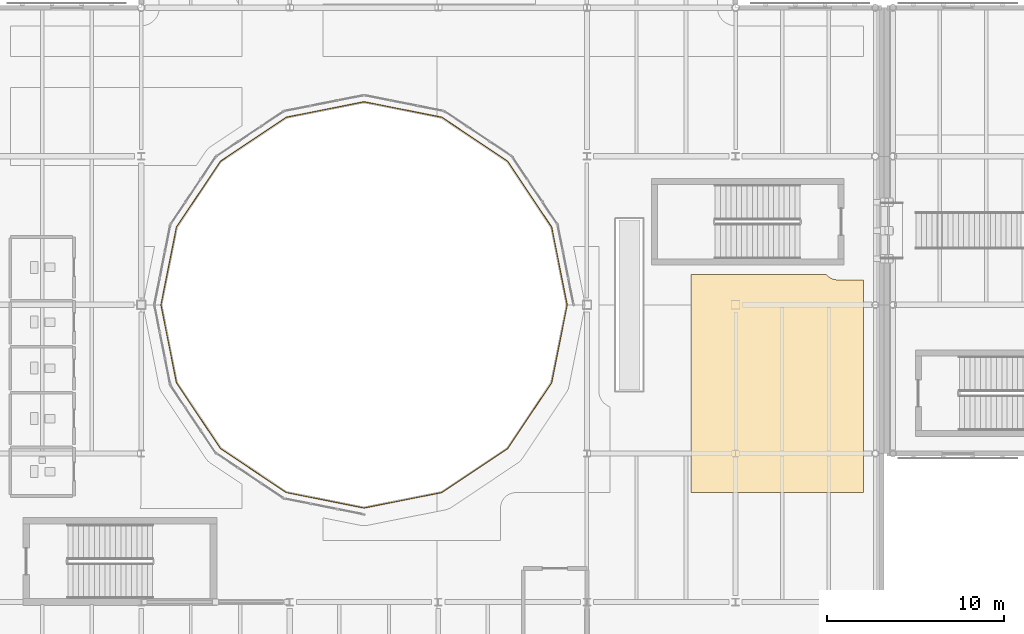
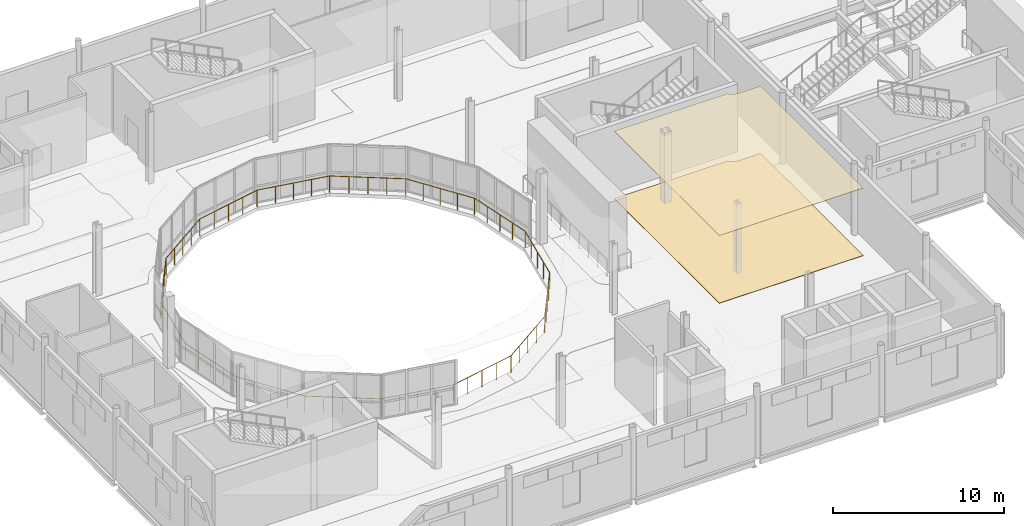
# One storey, part 88 of 104: 2 coverings, 1 railing.
"""IFC4 building model written with IfcOpenShell, lengths in metres."""

from ifc_helpers import new_model, si_unit, direction, frame, origin, origin_2d, place, context, subcontext, project, spatial, polyline, circle, outline, extrude, material, layer, layer_set, type_object, element, save


model = new_model("IFC4")

# Units and contexts
model_context = context("Model", 3, precision=1e-05, world=origin(), true_north=direction((0.0, 1.0)))
body_context = subcontext(model_context, "Body", "Model", "MODEL_VIEW")
ifc_project = project(units=[si_unit("LENGTHUNIT", "METRE"), si_unit("AREAUNIT", "SQUARE_METRE"), si_unit("VOLUMEUNIT", "CUBIC_METRE"), si_unit("PLANEANGLEUNIT", "RADIAN"), si_unit("MASSUNIT", "GRAM", prefix="KILO"), si_unit("THERMODYNAMICTEMPERATUREUNIT", "KELVIN")], contexts=[model_context])

# Site, building, storey
site_placement = place(None, origin())
site = spatial("IfcSite", under=ifc_project, at=site_placement, CompositionType="ELEMENT")
building_placement = place(site_placement, origin())
building = spatial("IfcBuilding", under=site, at=building_placement, Name="Lustrewick Department Store", CompositionType="ELEMENT")
storey_placement = place(building_placement, frame((0.0, 0.0, 11.39990234375)))
storey = spatial("IfcBuildingStorey", under=building, at=storey_placement, Name="L03", CompositionType="ELEMENT", Elevation=11.39990234375)

# Coverings
ifc_material_1 = material(Name="Perforated mineral-fibre acoustic ceiling board", Category="gypsum")
ifc_layer_1 = layer(ifc_material_1, 0.02490234375, Name="Perforated mineral-fibre acoustic ceiling board")
ifc_layer_set_1 = layer_set([ifc_layer_1], Name="Perforated mineral-fibre acoustic ceiling board")
covering_type_1 = type_object("IfcCoveringType", Name="COV-CEIL", PredefinedType="CEILING", material=ifc_layer_set_1)
covering_1_placement = place(storey_placement, frame((0.0, 0.0, 4.820068359375)))
element("IfcCovering", 1, at=covering_1_placement, inside=storey, type_object=covering_type_1, Name="L03 V1 Retail Merchandise Gallery 2 Acoustic Ceiling", PredefinedType="CEILING", context=body_context, shape_type="SweptSolid", body=[
    extrude(outline(polyline([(55.535400390625, 68.909912109375), (47.889892578125, 68.909912109375), (47.889892578125, 56.580078125), (57.6298828125, 56.580078125), (57.6298828125, 68.610107421875), (56.197021484375, 68.610107421875), (56.1123046875, 68.6142578125), (56.0283203125, 68.626708984375), (56.02490234375, 68.62744140625), (56.007568359375, 68.631103515625), (56.00439453125, 68.6318359375), (55.92138671875, 68.654541015625), (55.841552734375, 68.685302734375), (55.8388671875, 68.6865234375), (55.836181640625, 68.687744140625), (55.76953125, 68.72119140625), (55.765625, 68.723388671875), (55.7041015625, 68.760986328125), (55.64599609375, 68.803466796875), (55.641357421875, 68.80712890625), (55.570556640625, 68.87060546875), (55.535400390625, 68.909912109375)])), origin(), (0.0, 0.0, 1.0), 0.025146484375),
])
ifc_material_2 = material(Name="Polished terrazzo and porcelain floor finish", Category="masonry")
ifc_layer_2 = layer(ifc_material_2, 0.02001953125, Name="Polished terrazzo and porcelain floor finish")
ifc_layer_set_2 = layer_set([ifc_layer_2], Name="Polished terrazzo and porcelain floor finish")
covering_type_2 = type_object("IfcCoveringType", Name="COV-FLR", PredefinedType="FLOORING", material=ifc_layer_set_2)
covering_2_placement = place(storey_placement, origin())
element("IfcCovering", 2, at=covering_2_placement, inside=storey, type_object=covering_type_2, Name="L03 V1 Retail Merchandise Gallery 2 Terrazzo Flooring", PredefinedType="FLOORING", context=body_context, shape_type="SweptSolid", body=[
    extrude(outline(polyline([(55.535400390625, 68.909912109375), (47.889892578125, 68.909912109375), (47.889892578125, 56.580078125), (57.6298828125, 56.580078125), (57.6298828125, 68.610107421875), (56.197021484375, 68.610107421875), (56.1123046875, 68.6142578125), (56.0283203125, 68.626708984375), (56.02490234375, 68.62744140625), (56.007568359375, 68.631103515625), (56.00439453125, 68.6318359375), (55.92138671875, 68.654541015625), (55.841552734375, 68.685302734375), (55.8388671875, 68.6865234375), (55.836181640625, 68.687744140625), (55.76953125, 68.72119140625), (55.765625, 68.723388671875), (55.7041015625, 68.760986328125), (55.64599609375, 68.803466796875), (55.641357421875, 68.80712890625), (55.570556640625, 68.87060546875), (55.535400390625, 68.909912109375)])), origin(), (0.0, 0.0, 1.0), 0.02001953125),
])

# Railing
ifc_material_3 = material(Name="Laminated safety glass and bronze atrium balustrade", Category="glass")
railing_type = type_object("IfcRailingType", Name="RL-BAL", PredefinedType="BALUSTRADE", material=ifc_material_3)
railing_placement = place(storey_placement, frame((40.87841796875, 67.184326171875, 0.0)))
element("IfcRailing", 3, at=railing_placement, inside=storey, type_object=railing_type, Name="L03 Atrium Void Balustrade 0025", PredefinedType="BALUSTRADE", context=body_context, shape_type="SweptSolid", body=[
    extrude(circle(Radius=0.02392578125, at=origin_2d()), frame((0.0, 0.0, 1.17578125), z_axis=(-0.195071045556, -0.980789114533, 0.0), x_axis=(0.980789114533, -0.195071045556, 0.0)), (0.0, 0.0, 1.0), 4.447998046875),
    extrude(circle(Radius=0.02392578125, at=origin_2d()), frame((-0.86767578125, -4.362548828125, 1.17578125), z_axis=(-0.249878019022, -0.968277323709, 0.0), x_axis=(0.968277323709, -0.249878019022, 0.0)), (0.0, 0.0, 1.0), 0.0078125),
    extrude(circle(Radius=0.02392578125, at=origin_2d()), frame((-0.86962890625, -4.3701171875, 1.17578125), z_axis=(-0.344254649158, -0.938876315887, 0.0), x_axis=(0.938876315887, -0.344254649158, 0.0)), (0.0, 0.0, 1.0), 0.0078125),
    extrude(circle(Radius=0.02392578125, at=origin_2d()), frame((-0.872314453125, -4.37744140625, 1.17578125), z_axis=(-0.434749065831, -0.900551636365, 0.0), x_axis=(0.900551636365, -0.434749065831, 0.0)), (0.0, 0.0, 1.0), 0.0078125),
    extrude(circle(Radius=0.02392578125, at=origin_2d()), frame((-0.875732421875, -4.384521484375, 1.17578125), z_axis=(-0.496138938357, -0.868243142124, 0.0), x_axis=(0.868243142124, -0.496138938357, 0.0)), (0.0, 0.0, 1.0), 0.0078125),
    extrude(circle(Radius=0.02392578125, at=origin_2d()), frame((-0.879638671875, -4.391357421875, 1.17578125), z_axis=(-0.555561194947, -0.831475651279, 0.0), x_axis=(0.831475651279, -0.555561194947, 0.0)), (0.0, 0.0, 1.0), 4.447998046875),
    extrude(circle(Radius=0.02392578125, at=origin_2d()), frame((-3.350830078125, -8.08984375, 1.17578125), z_axis=(-0.60971076085, -0.792623989105, 0.0), x_axis=(0.792623989105, -0.60971076085, 0.0)), (0.0, 0.0, 1.0), 0.008056640625),
    extrude(circle(Radius=0.02392578125, at=origin_2d()), frame((-3.355712890625, -8.09619140625, 1.17578125), z_axis=(-0.674269364021, -0.738485493928, 0.0), x_axis=(0.738485493928, -0.674269364021, 0.0)), (0.0, 0.0, 1.0), 0.007568359375),
    extrude(circle(Radius=0.02392578125, at=origin_2d()), frame((-3.36083984375, -8.101806640625, 1.17578125), z_axis=(-0.737154140201, -0.675724628517, 0.0), x_axis=(0.675724628517, -0.737154140201, 0.0)), (0.0, 0.0, 1.0), 0.008056640625),
    extrude(circle(Radius=0.02392578125, at=origin_2d()), frame((-3.36669921875, -8.107177734375, 1.17578125), z_axis=(-0.807391122258, -0.590016589342, 0.0), x_axis=(0.590016589342, -0.807391122258, 0.0)), (0.0, 0.0, 1.0), 0.0078125),
    extrude(circle(Radius=0.02392578125, at=origin_2d()), frame((-3.373046875, -8.11181640625, 1.17578125), z_axis=(-0.831475651279, -0.555561194947, 0.0), x_axis=(0.555561194947, -0.831475651279, 0.0)), (0.0, 0.0, 1.0), 4.447998046875),
    extrude(circle(Radius=0.02392578125, at=origin_2d()), frame((-7.071533203125, -10.5830078125, 1.17578125), z_axis=(-0.84623284009, -0.532813269686, 0.0), x_axis=(0.532813269686, -0.84623284009, 0.0)), (0.0, 0.0, 1.0), 0.0078125),
    extrude(circle(Radius=0.02392578125, at=origin_2d()), frame((-7.078125, -10.587158203125, 1.17578125), z_axis=(-0.912509324515, -0.409055904093, 0.0), x_axis=(0.409055904093, -0.912509324515, 0.0)), (0.0, 0.0, 1.0), 0.0078125),
    extrude(circle(Radius=0.02392578125, at=origin_2d()), frame((-7.085205078125, -10.59033203125, 1.17578125), z_axis=(-0.938876315887, -0.344254649158, 0.0), x_axis=(0.344254649158, -0.938876315887, 0.0)), (0.0, 0.0, 1.0), 0.0078125),
    extrude(circle(Radius=0.02392578125, at=origin_2d()), frame((-7.092529296875, -10.593017578125, 1.17578125), z_axis=(-0.968277323709, -0.249878019022, 0.0), x_axis=(0.249878019022, -0.968277323709, 0.0)), (0.0, 0.0, 1.0), 0.0078125),
    extrude(circle(Radius=0.02392578125, at=origin_2d()), frame((-7.10009765625, -10.594970703125, 1.17578125), z_axis=(-0.980780701472, -0.195113340444, 0.0), x_axis=(0.195113340444, -0.980780701472, 0.0)), (0.0, 0.0, 1.0), 4.4482421875),
    extrude(circle(Radius=0.02392578125, at=origin_2d()), frame((-11.462890625, -11.462890625, 1.17578125), z_axis=(-0.992277876714, -0.124034734589, 0.0), x_axis=(0.124034734589, -0.992277876714, 0.0)), (0.0, 0.0, 1.0), 0.0078125),
    extrude(circle(Radius=0.02392578125, at=origin_2d()), frame((-11.470703125, -11.4638671875, 1.17578125), z_axis=(-0.998052578483, -0.062378286155, 0.0), x_axis=(0.062378286155, -0.998052578483, 0.0)), (0.0, 0.0, 1.0), 0.0078125),
    extrude(circle(Radius=0.02392578125, at=origin_2d()), frame((-11.478515625, -11.46435546875, 1.17578125), z_axis=(-0.998052578483, 0.062378286155, 0.0), x_axis=(-0.062378286155, -0.998052578483, 0.0)), (0.0, 0.0, 1.0), 0.0078125),
    extrude(circle(Radius=0.02392578125, at=origin_2d()), frame((-11.486328125, -11.4638671875, 1.17578125), z_axis=(-0.991777866634, 0.12797133763, 0.0), x_axis=(-0.12797133763, -0.991777866634, 0.0)), (0.0, 0.0, 1.0), 0.007568359375),
    extrude(circle(Radius=0.02392578125, at=origin_2d()), frame((-11.493896484375, -11.462890625, 1.17578125), z_axis=(-0.980780701472, 0.195113340444, 0.0), x_axis=(-0.195113340444, -0.980780701472, 0.0)), (0.0, 0.0, 1.0), 4.4482421875),
    extrude(circle(Radius=0.02392578125, at=origin_2d()), frame((-15.856689453125, -10.594970703125, 1.17578125), z_axis=(-0.968277323709, 0.249878019022, 0.0), x_axis=(-0.249878019022, -0.968277323709, 0.0)), (0.0, 0.0, 1.0), 0.0078125),
    extrude(circle(Radius=0.02392578125, at=origin_2d()), frame((-15.8642578125, -10.593017578125, 1.17578125), z_axis=(-0.938876315887, 0.344254649158, 0.0), x_axis=(-0.344254649158, -0.938876315887, 0.0)), (0.0, 0.0, 1.0), 0.0078125),
    extrude(circle(Radius=0.02392578125, at=origin_2d()), frame((-15.87158203125, -10.59033203125, 1.17578125), z_axis=(-0.912509324515, 0.409055904093, 0.0), x_axis=(-0.409055904093, -0.912509324515, 0.0)), (0.0, 0.0, 1.0), 0.0078125),
    extrude(circle(Radius=0.02392578125, at=origin_2d()), frame((-15.878662109375, -10.587158203125, 1.17578125), z_axis=(-0.854787515222, 0.518978134242, 0.0), x_axis=(-0.518978134242, -0.854787515222, 0.0)), (0.0, 0.0, 1.0), 0.008056640625),
    extrude(circle(Radius=0.02392578125, at=origin_2d()), frame((-15.885498046875, -10.5830078125, 1.17578125), z_axis=(-0.831458709496, 0.555586549876, 0.0), x_axis=(-0.555586549876, -0.831458709496, 0.0)), (0.0, 0.0, 1.0), 4.447998046875),
    extrude(circle(Radius=0.02392578125, at=origin_2d()), frame((-19.583740234375, -8.11181640625, 1.17578125), z_axis=(-0.817806419301, 0.575493406175, 0.0), x_axis=(-0.575493406175, -0.817806419301, 0.0)), (0.0, 0.0, 1.0), 0.008056640625),
    extrude(circle(Radius=0.02392578125, at=origin_2d()), frame((-19.59033203125, -8.107177734375, 1.17578125), z_axis=(-0.722641857148, 0.691222645967, 0.0), x_axis=(-0.691222645967, -0.722641857148, 0.0)), (0.0, 0.0, 1.0), 0.0078125),
    extrude(circle(Radius=0.02392578125, at=origin_2d()), frame((-19.595947265625, -8.101806640625, 1.17578125), z_axis=(-0.691222645967, 0.722641857148, 0.0), x_axis=(-0.722641857148, -0.691222645967, 0.0)), (0.0, 0.0, 1.0), 0.0078125),
    extrude(circle(Radius=0.02392578125, at=origin_2d()), frame((-19.601318359375, -8.09619140625, 1.17578125), z_axis=(-0.590016589342, 0.807391122258, 0.0), x_axis=(-0.807391122258, -0.590016589342, 0.0)), (0.0, 0.0, 1.0), 0.0078125),
    extrude(circle(Radius=0.02392578125, at=origin_2d()), frame((-19.60595703125, -8.08984375, 1.17578125), z_axis=(-0.555561194947, 0.831475651279, 0.0), x_axis=(-0.831475651279, -0.555561194947, 0.0)), (0.0, 0.0, 1.0), 4.447998046875),
    extrude(circle(Radius=0.02392578125, at=origin_2d()), frame((-22.0771484375, -4.391357421875, 1.17578125), z_axis=(-0.518978134242, 0.854787515222, 0.0), x_axis=(-0.854787515222, -0.518978134242, 0.0)), (0.0, 0.0, 1.0), 0.008056640625),
    extrude(circle(Radius=0.02392578125, at=origin_2d()), frame((-22.081298828125, -4.384521484375, 1.17578125), z_axis=(-0.409055904093, 0.912509324515, 0.0), x_axis=(-0.912509324515, -0.409055904093, 0.0)), (0.0, 0.0, 1.0), 0.0078125),
    extrude(circle(Radius=0.02392578125, at=origin_2d()), frame((-22.08447265625, -4.37744140625, 1.17578125), z_axis=(-0.344254649158, 0.938876315887, 0.0), x_axis=(-0.938876315887, -0.344254649158, 0.0)), (0.0, 0.0, 1.0), 0.0078125),
    extrude(circle(Radius=0.02392578125, at=origin_2d()), frame((-22.087158203125, -4.3701171875, 1.17578125), z_axis=(-0.249878019022, 0.968277323709, 0.0), x_axis=(-0.968277323709, -0.249878019022, 0.0)), (0.0, 0.0, 1.0), 0.0078125),
    extrude(circle(Radius=0.02392578125, at=origin_2d()), frame((-22.089111328125, -4.362548828125, 1.17578125), z_axis=(-0.195123843826, 0.980778611905, 0.0), x_axis=(-0.980778611905, -0.195123843826, 0.0)), (0.0, 0.0, 1.0), 4.447998046875),
    extrude(circle(Radius=0.02392578125, at=origin_2d()), frame((-22.95703125, 0.0, 1.17578125), z_axis=(-0.124034734589, 0.992277876714, 0.0), x_axis=(-0.992277876714, -0.124034734589, 0.0)), (0.0, 0.0, 1.0), 0.0078125),
    extrude(circle(Radius=0.02392578125, at=origin_2d()), frame((-22.9580078125, 0.0078125, 1.17578125), z_axis=(-0.062378286155, 0.998052578483, 0.0), x_axis=(-0.998052578483, -0.062378286155, 0.0)), (0.0, 0.0, 1.0), 0.0078125),
    extrude(circle(Radius=0.02392578125, at=origin_2d()), frame((-22.95849609375, 0.015625, 1.17578125), z_axis=(0.062378286155, 0.998052578483, 0.0), x_axis=(-0.998052578483, 0.062378286155, 0.0)), (0.0, 0.0, 1.0), 0.0078125),
    extrude(circle(Radius=0.02392578125, at=origin_2d()), frame((-22.9580078125, 0.0234375, 1.17578125), z_axis=(0.124034734589, 0.992277876714, 0.0), x_axis=(-0.992277876714, 0.124034734589, 0.0)), (0.0, 0.0, 1.0), 0.0078125),
    extrude(circle(Radius=0.02392578125, at=origin_2d()), frame((-22.95703125, 0.03125, 1.17578125), z_axis=(0.195123843826, 0.980778611905, 0.0), x_axis=(-0.980778611905, 0.195123843826, 0.0)), (0.0, 0.0, 1.0), 4.447998046875),
    extrude(circle(Radius=0.02392578125, at=origin_2d()), frame((-22.089111328125, 4.393798828125, 1.17578125), z_axis=(0.249878019022, 0.968277323709, 0.0), x_axis=(-0.968277323709, 0.249878019022, 0.0)), (0.0, 0.0, 1.0), 0.0078125),
    extrude(circle(Radius=0.02392578125, at=origin_2d()), frame((-22.087158203125, 4.4013671875, 1.17578125), z_axis=(0.334409845171, 0.942427745481, 0.0), x_axis=(-0.942427745481, 0.334409845171, 0.0)), (0.0, 0.0, 1.0), 0.008056640625),
    extrude(circle(Radius=0.02392578125, at=origin_2d()), frame((-22.08447265625, 4.408935546875, 1.17578125), z_axis=(0.409055904093, 0.912509324515, 0.0), x_axis=(-0.912509324515, 0.409055904093, 0.0)), (0.0, 0.0, 1.0), 0.0078125),
    extrude(circle(Radius=0.02392578125, at=origin_2d()), frame((-22.081298828125, 4.416015625, 1.17578125), z_axis=(0.532813269686, 0.84623284009, 0.0), x_axis=(-0.84623284009, 0.532813269686, 0.0)), (0.0, 0.0, 1.0), 0.0078125),
    extrude(circle(Radius=0.02392578125, at=origin_2d()), frame((-22.0771484375, 4.422607421875, 1.17578125), z_axis=(0.555561194947, 0.831475651279, 0.0), x_axis=(-0.831475651279, 0.555561194947, 0.0)), (0.0, 0.0, 1.0), 4.447998046875),
    extrude(circle(Radius=0.02392578125, at=origin_2d()), frame((-19.60595703125, 8.12109375, 1.17578125), z_axis=(0.590016589342, 0.807391122258, 0.0), x_axis=(-0.807391122258, 0.590016589342, 0.0)), (0.0, 0.0, 1.0), 0.0078125),
    extrude(circle(Radius=0.02392578125, at=origin_2d()), frame((-19.601318359375, 8.12744140625, 1.17578125), z_axis=(0.675724628517, 0.737154140201, 0.0), x_axis=(-0.737154140201, 0.675724628517, 0.0)), (0.0, 0.0, 1.0), 0.008056640625),
    extrude(circle(Radius=0.02392578125, at=origin_2d()), frame((-19.595947265625, 8.13330078125, 1.17578125), z_axis=(0.738485493928, 0.674269364021, 0.0), x_axis=(-0.674269364021, 0.738485493928, 0.0)), (0.0, 0.0, 1.0), 0.007568359375),
    extrude(circle(Radius=0.02392578125, at=origin_2d()), frame((-19.59033203125, 8.138427734375, 1.17578125), z_axis=(0.817806419301, 0.575493406175, 0.0), x_axis=(-0.575493406175, 0.817806419301, 0.0)), (0.0, 0.0, 1.0), 0.008056640625),
    extrude(circle(Radius=0.02392578125, at=origin_2d()), frame((-19.583740234375, 8.14306640625, 1.17578125), z_axis=(0.831458709496, 0.555586549876, 0.0), x_axis=(-0.555586549876, 0.831458709496, 0.0)), (0.0, 0.0, 1.0), 4.447998046875),
    extrude(circle(Radius=0.02392578125, at=origin_2d()), frame((-15.885498046875, 10.6142578125, 1.17578125), z_axis=(0.854787515222, 0.518978134242, 0.0), x_axis=(-0.518978134242, 0.854787515222, 0.0)), (0.0, 0.0, 1.0), 0.008056640625),
    extrude(circle(Radius=0.02392578125, at=origin_2d()), frame((-15.878662109375, 10.618408203125, 1.17578125), z_axis=(0.900551636365, 0.434749065831, 0.0), x_axis=(-0.434749065831, 0.900551636365, 0.0)), (0.0, 0.0, 1.0), 0.0078125),
    extrude(circle(Radius=0.02392578125, at=origin_2d()), frame((-15.87158203125, 10.621826171875, 1.17578125), z_axis=(0.938876315887, 0.344254649158, 0.0), x_axis=(-0.344254649158, 0.938876315887, 0.0)), (0.0, 0.0, 1.0), 0.0078125),
    extrude(circle(Radius=0.02392578125, at=origin_2d()), frame((-15.8642578125, 10.62451171875, 1.17578125), z_axis=(0.968277323709, 0.249878019022, 0.0), x_axis=(-0.249878019022, 0.968277323709, 0.0)), (0.0, 0.0, 1.0), 0.0078125),
    extrude(circle(Radius=0.02392578125, at=origin_2d()), frame((-15.856689453125, 10.62646484375, 1.17578125), z_axis=(0.980791202991, 0.195060544792, 0.0), x_axis=(-0.195060544792, 0.980791202991, 0.0)), (0.0, 0.0, 1.0), 4.4482421875),
    extrude(circle(Radius=0.02392578125, at=origin_2d()), frame((-11.493896484375, 11.494140625, 1.17578125), z_axis=(0.987241120713, 0.159232438825, 0.0), x_axis=(-0.159232438825, 0.987241120713, 0.0)), (0.0, 0.0, 1.0), 0.007568359375),
    extrude(circle(Radius=0.02392578125, at=origin_2d()), frame((-11.486328125, 11.495361328125, 1.17578125), z_axis=(0.999512076087, 0.031234752378, 0.0), x_axis=(-0.031234752378, 0.999512076087, 0.0)), (0.0, 0.0, 1.0), 0.0078125),
    extrude(circle(Radius=0.02392578125, at=origin_2d()), frame((-11.478515625, 11.49560546875, 1.17578125), z_axis=(0.999512076087, -0.031234752378, 0.0), x_axis=(0.031234752378, 0.999512076087, 0.0)), (0.0, 0.0, 1.0), 0.0078125),
    extrude(circle(Radius=0.02392578125, at=origin_2d()), frame((-11.470703125, 11.495361328125, 1.17578125), z_axis=(0.988012033751, -0.154376880274, 0.0), x_axis=(0.154376880274, 0.988012033751, 0.0)), (0.0, 0.0, 1.0), 0.0078125),
    extrude(circle(Radius=0.02392578125, at=origin_2d()), frame((-11.462890625, 11.494140625, 1.17578125), z_axis=(0.980791202991, -0.195060544792, 0.0), x_axis=(0.195060544792, 0.980791202991, 0.0)), (0.0, 0.0, 1.0), 4.4482421875),
    extrude(circle(Radius=0.02392578125, at=origin_2d()), frame((-7.10009765625, 10.62646484375, 1.17578125), z_axis=(0.968277323709, -0.249878019022, 0.0), x_axis=(0.249878019022, 0.968277323709, 0.0)), (0.0, 0.0, 1.0), 0.0078125),
    extrude(circle(Radius=0.02392578125, at=origin_2d()), frame((-7.092529296875, 10.62451171875, 1.17578125), z_axis=(0.938876315887, -0.344254649158, 0.0), x_axis=(0.344254649158, 0.938876315887, 0.0)), (0.0, 0.0, 1.0), 0.0078125),
    extrude(circle(Radius=0.02392578125, at=origin_2d()), frame((-7.085205078125, 10.621826171875, 1.17578125), z_axis=(0.900551636365, -0.434749065831, 0.0), x_axis=(0.434749065831, 0.900551636365, 0.0)), (0.0, 0.0, 1.0), 0.0078125),
    extrude(circle(Radius=0.02392578125, at=origin_2d()), frame((-7.078125, 10.618408203125, 1.17578125), z_axis=(0.84623284009, -0.532813269686, 0.0), x_axis=(0.532813269686, 0.84623284009, 0.0)), (0.0, 0.0, 1.0), 0.0078125),
    extrude(circle(Radius=0.02392578125, at=origin_2d()), frame((-7.071533203125, 10.6142578125, 1.17578125), z_axis=(0.831475651279, -0.555561194947, 0.0), x_axis=(0.555561194947, 0.831475651279, 0.0)), (0.0, 0.0, 1.0), 4.447998046875),
    extrude(circle(Radius=0.02392578125, at=origin_2d()), frame((-3.373046875, 8.14306640625, 1.17578125), z_axis=(0.807391122258, -0.590016589342, 0.0), x_axis=(0.590016589342, 0.807391122258, 0.0)), (0.0, 0.0, 1.0), 0.0078125),
    extrude(circle(Radius=0.02392578125, at=origin_2d()), frame((-3.36669921875, 8.138427734375, 1.17578125), z_axis=(0.752576694707, -0.658504607869, 0.0), x_axis=(0.658504607869, 0.752576694707, 0.0)), (0.0, 0.0, 1.0), 0.0078125),
    extrude(circle(Radius=0.02392578125, at=origin_2d()), frame((-3.36083984375, 8.13330078125, 1.17578125), z_axis=(0.658504607869, -0.752576694707, 0.0), x_axis=(0.752576694707, 0.658504607869, 0.0)), (0.0, 0.0, 1.0), 0.0078125),
    extrude(circle(Radius=0.02392578125, at=origin_2d()), frame((-3.355712890625, 8.12744140625, 1.17578125), z_axis=(0.60971076085, -0.792623989105, 0.0), x_axis=(0.792623989105, 0.60971076085, 0.0)), (0.0, 0.0, 1.0), 0.008056640625),
    extrude(circle(Radius=0.02392578125, at=origin_2d()), frame((-3.350830078125, 8.12109375, 1.17578125), z_axis=(0.555561194947, -0.831475651279, 0.0), x_axis=(0.831475651279, 0.555561194947, 0.0)), (0.0, 0.0, 1.0), 4.447998046875),
    extrude(circle(Radius=0.02392578125, at=origin_2d()), frame((-0.879638671875, 4.422607421875, 1.17578125), z_axis=(0.509802390302, -0.860291533634, 0.0), x_axis=(0.860291533634, 0.509802390302, 0.0)), (0.0, 0.0, 1.0), 0.007568359375),
    extrude(circle(Radius=0.02392578125, at=origin_2d()), frame((-0.875732421875, 4.416015625, 1.17578125), z_axis=(0.434749065831, -0.900551636365, 0.0), x_axis=(0.900551636365, 0.434749065831, 0.0)), (0.0, 0.0, 1.0), 0.0078125),
    extrude(circle(Radius=0.02392578125, at=origin_2d()), frame((-0.872314453125, 4.408935546875, 1.17578125), z_axis=(0.334409845171, -0.942427745481, 0.0), x_axis=(0.942427745481, 0.334409845171, 0.0)), (0.0, 0.0, 1.0), 0.008056640625),
    extrude(circle(Radius=0.02392578125, at=origin_2d()), frame((-0.86962890625, 4.4013671875, 1.17578125), z_axis=(0.249878019022, -0.968277323709, 0.0), x_axis=(0.968277323709, 0.249878019022, 0.0)), (0.0, 0.0, 1.0), 0.0078125),
    extrude(circle(Radius=0.02392578125, at=origin_2d()), frame((-0.86767578125, 4.393798828125, 1.17578125), z_axis=(0.195071045556, -0.980789114533, 0.0), x_axis=(0.980789114533, 0.195071045556, 0.0)), (0.0, 0.0, 1.0), 4.447998046875),
    extrude(circle(Radius=0.02392578125, at=origin_2d()), frame((0.0, 0.03125, 1.17578125), z_axis=(0.154376880274, -0.988012033751, 0.0), x_axis=(0.988012033751, 0.154376880274, 0.0)), (0.0, 0.0, 1.0), 0.0078125),
    extrude(circle(Radius=0.02392578125, at=origin_2d()), frame((0.001220703125, 0.0234375, 1.17578125), z_axis=(0.031234752378, -0.999512076087, 0.0), x_axis=(0.999512076087, 0.031234752378, 0.0)), (0.0, 0.0, 1.0), 0.0078125),
    extrude(circle(Radius=0.02392578125, at=origin_2d()), frame((0.00146484375, 0.015625, 1.17578125), z_axis=(-0.031234752378, -0.999512076087, 0.0), x_axis=(0.999512076087, -0.031234752378, 0.0)), (0.0, 0.0, 1.0), 0.0078125),
    extrude(circle(Radius=0.02392578125, at=origin_2d()), frame((0.001220703125, 0.0078125, 1.17578125), z_axis=(-0.154376880274, -0.988012033751, 0.0), x_axis=(0.988012033751, -0.154376880274, 0.0)), (0.0, 0.0, 1.0), 0.0078125),
    extrude(circle(Radius=0.02099609375, at=origin_2d()), origin(), (0.0, 0.0, 1.0), 1.15185546875),
    extrude(circle(Radius=0.02099609375, at=origin_2d()), frame((-0.216796875, -1.090576171875, 0.0)), (0.0, 0.0, 1.0), 1.15185546875),
    extrude(circle(Radius=0.02099609375, at=origin_2d()), frame((-0.433837890625, -2.18115234375, 0.0)), (0.0, 0.0, 1.0), 1.15185546875),
    extrude(circle(Radius=0.02099609375, at=origin_2d()), frame((-0.65087890625, -3.27197265625, 0.0)), (0.0, 0.0, 1.0), 1.15185546875),
    extrude(circle(Radius=0.02099609375, at=origin_2d()), frame((-0.86767578125, -4.362548828125, 0.0)), (0.0, 0.0, 1.0), 1.15185546875),
    extrude(circle(Radius=0.02099609375, at=origin_2d()), frame((-1.49755859375, -5.31591796875, 0.0)), (0.0, 0.0, 1.0), 1.15185546875),
    extrude(circle(Radius=0.02099609375, at=origin_2d()), frame((-2.115234375, -6.24072265625, 0.0)), (0.0, 0.0, 1.0), 1.15185546875),
    extrude(circle(Radius=0.02099609375, at=origin_2d()), frame((-2.73291015625, -7.165283203125, 0.0)), (0.0, 0.0, 1.0), 1.15185546875),
    extrude(circle(Radius=0.02099609375, at=origin_2d()), frame((-3.350830078125, -8.08984375, 0.0)), (0.0, 0.0, 1.0), 1.15185546875),
    extrude(circle(Radius=0.02099609375, at=origin_2d()), frame((-4.297607421875, -8.7294921875, 0.0)), (0.0, 0.0, 1.0), 1.15185546875),
    extrude(circle(Radius=0.02099609375, at=origin_2d()), frame((-5.22216796875, -9.347412109375, 0.0)), (0.0, 0.0, 1.0), 1.15185546875),
    extrude(circle(Radius=0.02099609375, at=origin_2d()), frame((-6.14697265625, -9.96533203125, 0.0)), (0.0, 0.0, 1.0), 1.15185546875),
    extrude(circle(Radius=0.02099609375, at=origin_2d()), frame((-7.071533203125, -10.5830078125, 0.0)), (0.0, 0.0, 1.0), 1.15185546875),
    extrude(circle(Radius=0.02099609375, at=origin_2d()), frame((-8.19091796875, -10.81201171875, 0.0)), (0.0, 0.0, 1.0), 1.15185546875),
    extrude(circle(Radius=0.02099609375, at=origin_2d()), frame((-9.281494140625, -11.02880859375, 0.0)), (0.0, 0.0, 1.0), 1.15185546875),
    extrude(circle(Radius=0.02099609375, at=origin_2d()), frame((-10.3720703125, -11.245849609375, 0.0)), (0.0, 0.0, 1.0), 1.15185546875),
    extrude(circle(Radius=0.02099609375, at=origin_2d()), frame((-11.462890625, -11.462890625, 0.0)), (0.0, 0.0, 1.0), 1.15185546875),
    extrude(circle(Radius=0.02099609375, at=origin_2d()), frame((-12.58447265625, -11.245849609375, 0.0)), (0.0, 0.0, 1.0), 1.15185546875),
    extrude(circle(Radius=0.02099609375, at=origin_2d()), frame((-13.67529296875, -11.02880859375, 0.0)), (0.0, 0.0, 1.0), 1.15185546875),
    extrude(circle(Radius=0.02099609375, at=origin_2d()), frame((-14.76611328125, -10.81201171875, 0.0)), (0.0, 0.0, 1.0), 1.15185546875),
    extrude(circle(Radius=0.02099609375, at=origin_2d()), frame((-15.856689453125, -10.594970703125, 0.0)), (0.0, 0.0, 1.0), 1.15185546875),
    extrude(circle(Radius=0.02099609375, at=origin_2d()), frame((-16.81005859375, -9.96533203125, 0.0)), (0.0, 0.0, 1.0), 1.15185546875),
    extrude(circle(Radius=0.02099609375, at=origin_2d()), frame((-17.734619140625, -9.347412109375, 0.0)), (0.0, 0.0, 1.0), 1.15185546875),
    extrude(circle(Radius=0.02099609375, at=origin_2d()), frame((-18.6591796875, -8.7294921875, 0.0)), (0.0, 0.0, 1.0), 1.15185546875),
    extrude(circle(Radius=0.02099609375, at=origin_2d()), frame((-19.583740234375, -8.11181640625, 0.0)), (0.0, 0.0, 1.0), 1.15185546875),
    extrude(circle(Radius=0.02099609375, at=origin_2d()), frame((-20.2236328125, -7.165283203125, 0.0)), (0.0, 0.0, 1.0), 1.15185546875),
    extrude(circle(Radius=0.02099609375, at=origin_2d()), frame((-20.841552734375, -6.24072265625, 0.0)), (0.0, 0.0, 1.0), 1.15185546875),
    extrude(circle(Radius=0.02099609375, at=origin_2d()), frame((-21.45947265625, -5.31591796875, 0.0)), (0.0, 0.0, 1.0), 1.15185546875),
    extrude(circle(Radius=0.02099609375, at=origin_2d()), frame((-22.0771484375, -4.391357421875, 0.0)), (0.0, 0.0, 1.0), 1.15185546875),
    extrude(circle(Radius=0.02099609375, at=origin_2d()), frame((-22.30615234375, -3.27197265625, 0.0)), (0.0, 0.0, 1.0), 1.15185546875),
    extrude(circle(Radius=0.02099609375, at=origin_2d()), frame((-22.52294921875, -2.18115234375, 0.0)), (0.0, 0.0, 1.0), 1.15185546875),
    extrude(circle(Radius=0.02099609375, at=origin_2d()), frame((-22.739990234375, -1.090576171875, 0.0)), (0.0, 0.0, 1.0), 1.15185546875),
    extrude(circle(Radius=0.02099609375, at=origin_2d()), frame((-22.95703125, 0.0, 0.0)), (0.0, 0.0, 1.0), 1.15185546875),
    extrude(circle(Radius=0.02099609375, at=origin_2d()), frame((-22.739990234375, 1.121826171875, 0.0)), (0.0, 0.0, 1.0), 1.15185546875),
    extrude(circle(Radius=0.02099609375, at=origin_2d()), frame((-22.52294921875, 2.21240234375, 0.0)), (0.0, 0.0, 1.0), 1.15185546875),
    extrude(circle(Radius=0.02099609375, at=origin_2d()), frame((-22.30615234375, 3.30322265625, 0.0)), (0.0, 0.0, 1.0), 1.15185546875),
    extrude(circle(Radius=0.02099609375, at=origin_2d()), frame((-22.089111328125, 4.393798828125, 0.0)), (0.0, 0.0, 1.0), 1.15185546875),
    extrude(circle(Radius=0.02099609375, at=origin_2d()), frame((-21.45947265625, 5.34716796875, 0.0)), (0.0, 0.0, 1.0), 1.15185546875),
    extrude(circle(Radius=0.02099609375, at=origin_2d()), frame((-20.841552734375, 6.27197265625, 0.0)), (0.0, 0.0, 1.0), 1.15185546875),
    extrude(circle(Radius=0.02099609375, at=origin_2d()), frame((-20.2236328125, 7.196533203125, 0.0)), (0.0, 0.0, 1.0), 1.15185546875),
    extrude(circle(Radius=0.02099609375, at=origin_2d()), frame((-19.60595703125, 8.12109375, 0.0)), (0.0, 0.0, 1.0), 1.15185546875),
    extrude(circle(Radius=0.02099609375, at=origin_2d()), frame((-18.6591796875, 8.7607421875, 0.0)), (0.0, 0.0, 1.0), 1.15185546875),
    extrude(circle(Radius=0.02099609375, at=origin_2d()), frame((-17.734619140625, 9.378662109375, 0.0)), (0.0, 0.0, 1.0), 1.15185546875),
    extrude(circle(Radius=0.02099609375, at=origin_2d()), frame((-16.81005859375, 9.99658203125, 0.0)), (0.0, 0.0, 1.0), 1.15185546875),
    extrude(circle(Radius=0.02099609375, at=origin_2d()), frame((-15.885498046875, 10.6142578125, 0.0)), (0.0, 0.0, 1.0), 1.15185546875),
    extrude(circle(Radius=0.02099609375, at=origin_2d()), frame((-14.76611328125, 10.84326171875, 0.0)), (0.0, 0.0, 1.0), 1.15185546875),
    extrude(circle(Radius=0.02099609375, at=origin_2d()), frame((-13.67529296875, 11.060302734375, 0.0)), (0.0, 0.0, 1.0), 1.15185546875),
    extrude(circle(Radius=0.02099609375, at=origin_2d()), frame((-12.58447265625, 11.27734375, 0.0)), (0.0, 0.0, 1.0), 1.15185546875),
    extrude(circle(Radius=0.02099609375, at=origin_2d()), frame((-11.493896484375, 11.494140625, 0.0)), (0.0, 0.0, 1.0), 1.15185546875),
    extrude(circle(Radius=0.02099609375, at=origin_2d()), frame((-10.3720703125, 11.27734375, 0.0)), (0.0, 0.0, 1.0), 1.15185546875),
    extrude(circle(Radius=0.02099609375, at=origin_2d()), frame((-9.281494140625, 11.060302734375, 0.0)), (0.0, 0.0, 1.0), 1.15185546875),
    extrude(circle(Radius=0.02099609375, at=origin_2d()), frame((-8.19091796875, 10.84326171875, 0.0)), (0.0, 0.0, 1.0), 1.15185546875),
    extrude(circle(Radius=0.02099609375, at=origin_2d()), frame((-7.10009765625, 10.62646484375, 0.0)), (0.0, 0.0, 1.0), 1.15185546875),
    extrude(circle(Radius=0.02099609375, at=origin_2d()), frame((-6.14697265625, 9.99658203125, 0.0)), (0.0, 0.0, 1.0), 1.15185546875),
    extrude(circle(Radius=0.02099609375, at=origin_2d()), frame((-5.22216796875, 9.378662109375, 0.0)), (0.0, 0.0, 1.0), 1.15185546875),
    extrude(circle(Radius=0.02099609375, at=origin_2d()), frame((-4.297607421875, 8.7607421875, 0.0)), (0.0, 0.0, 1.0), 1.15185546875),
    extrude(circle(Radius=0.02099609375, at=origin_2d()), frame((-3.373046875, 8.14306640625, 0.0)), (0.0, 0.0, 1.0), 1.15185546875),
    extrude(circle(Radius=0.02099609375, at=origin_2d()), frame((-2.73291015625, 7.196533203125, 0.0)), (0.0, 0.0, 1.0), 1.15185546875),
    extrude(circle(Radius=0.02099609375, at=origin_2d()), frame((-2.115234375, 6.27197265625, 0.0)), (0.0, 0.0, 1.0), 1.15185546875),
    extrude(circle(Radius=0.02099609375, at=origin_2d()), frame((-1.49755859375, 5.34716796875, 0.0)), (0.0, 0.0, 1.0), 1.15185546875),
    extrude(circle(Radius=0.02099609375, at=origin_2d()), frame((-0.879638671875, 4.422607421875, 0.0)), (0.0, 0.0, 1.0), 1.15185546875),
    extrude(circle(Radius=0.02099609375, at=origin_2d()), frame((-0.65087890625, 3.30322265625, 0.0)), (0.0, 0.0, 1.0), 1.15185546875),
    extrude(circle(Radius=0.02099609375, at=origin_2d()), frame((-0.433837890625, 2.21240234375, 0.0)), (0.0, 0.0, 1.0), 1.15185546875),
    extrude(circle(Radius=0.02099609375, at=origin_2d()), frame((-0.216796875, 1.121826171875, 0.0)), (0.0, 0.0, 1.0), 1.15185546875),
])

save(model, "model.ifc")
